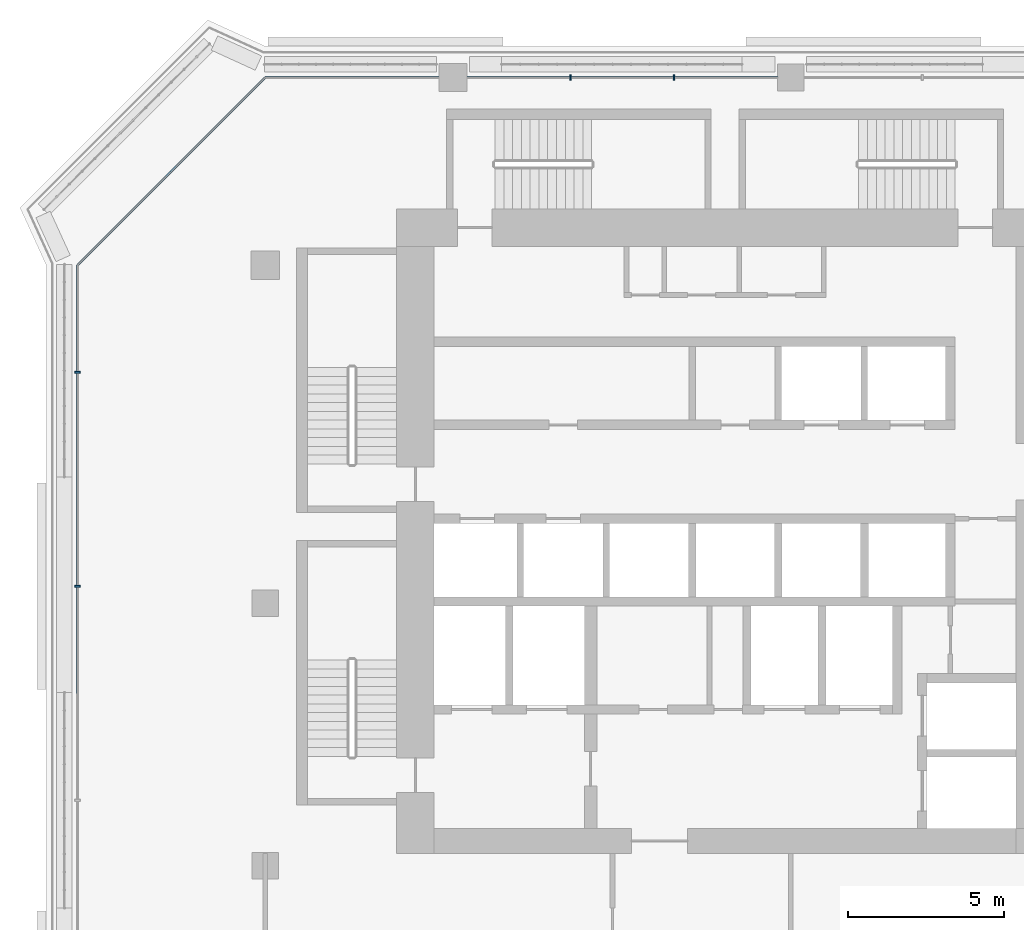
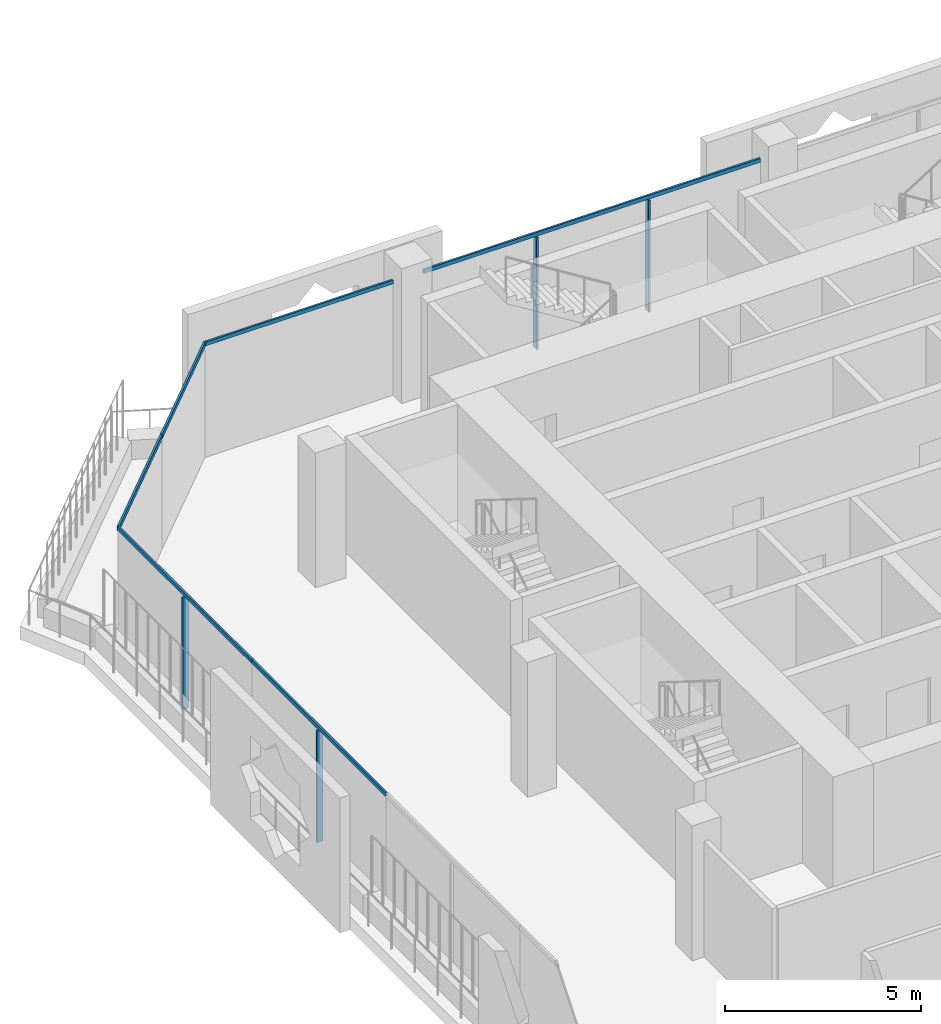
# One storey, part 6 of 23: 10 members, 3 elements without a shape of their own.
"""IFC4 building model written with IfcOpenShell, lengths in metres."""

from ifc_helpers import new_model, si_unit, direction, frame, origin, origin_2d, place, context, subcontext, project, spatial, rectangle, extrude, material, layer, layer_set, material_profile, profile_set, type_object, element, aggregate, save


model = new_model("IFC4")

# Units and contexts
model_context = context("Model", 3, precision=1e-05, world=origin(), true_north=direction((0.0, 1.0)))
body_context = subcontext(model_context, "Body", "Model", "MODEL_VIEW")
ifc_project = project(units=[si_unit("LENGTHUNIT", "METRE"), si_unit("AREAUNIT", "SQUARE_METRE"), si_unit("VOLUMEUNIT", "CUBIC_METRE"), si_unit("PLANEANGLEUNIT", "RADIAN"), si_unit("MASSUNIT", "GRAM", prefix="KILO")], contexts=[model_context])

# Site, building, storey
site_placement = place(None, origin())
site = spatial("IfcSite", under=ifc_project, at=site_placement, CompositionType="ELEMENT")
building_placement = place(site_placement, origin())
building = spatial("IfcBuilding", under=site, at=building_placement, Name="Kawkab Arch Medical Tower", CompositionType="ELEMENT")
storey_placement = place(building_placement, frame((0.0, 0.0, 222.199951171875)))
storey = spatial("IfcBuildingStorey", under=building, at=storey_placement, Name="L51", CompositionType="ELEMENT", Elevation=222.199951171875)

# Curtain wall, members
ifc_material_1 = material(Name="Bronze anodised aluminium curtain wall frame", Category="aluminium")
ifc_layer_1 = layer(ifc_material_1, 0.159912109375)
ifc_layer_set_1 = layer_set([ifc_layer_1], Name="Bronze anodised aluminium curtain wall frame")
curtain_wall_type_1 = type_object("IfcCurtainWallType", Name="CW1 ward curtain wall", PredefinedType="NOTDEFINED", material=ifc_layer_set_1)
placement = place(storey_placement, origin())
curtain_wall_1 = element("IfcCurtainWall", 1, at=placement, inside=storey, type_object=curtain_wall_type_1, Name="CW1 Ward curtain wall R09", PredefinedType="NOTDEFINED")
ifc_material_2 = material(Name="Bronze anodised aluminium curtain wall frame", Category="aluminium")
ifc_material_profile_1 = material_profile(ifc_material_2, rectangle(XDim=0.179931640625, YDim=0.06005859375, at=origin_2d()), Name="AL 60x180")
ifc_profile_set_1 = profile_set([ifc_material_profile_1], Name="Bronze anodised aluminium curtain wall frame")
member_type_1 = type_object("IfcMemberType", Name="CW1 mullion 60 x 180", PredefinedType="MULLION", material=ifc_profile_set_1)
member_1_placement = place(storey_placement, frame((13.066650390625, 0.0, 0.0), z_axis=(0.0, 0.0, 1.0), x_axis=(0.0, -1.0, 0.0)))
member_1 = element("IfcMember", 2, at=member_1_placement, type_object=member_type_1, Name="CW1 mullion 6.1", PredefinedType="MULLION", context=body_context, shape_type="SweptSolid", body=[
    extrude(rectangle(XDim=0.179931640625, YDim=0.06005859375, at=origin_2d()), origin(), (0.0, 0.0, 1.0), 3.47998046875),
])
member_2_placement = place(storey_placement, frame((9.75830078125, 0.0, 0.0), z_axis=(0.0, 0.0, 1.0), x_axis=(0.0, -1.0, 0.0)))
member_2 = element("IfcMember", 3, at=member_2_placement, type_object=member_type_1, Name="CW1 mullion 6.2", PredefinedType="MULLION", context=body_context, shape_type="SweptSolid", body=[
    extrude(rectangle(XDim=0.179931640625, YDim=0.06005859375, at=origin_2d()), origin(), (0.0, 0.0, 1.0), 3.47998046875),
])

curtain_wall_2 = element("IfcCurtainWall", 4, at=placement, inside=storey, type_object=curtain_wall_type_1, Name="CW1 Ward curtain wall R11", PredefinedType="NOTDEFINED")
member_3_placement = place(storey_placement, frame((-6.0, -9.419921875, 0.0), z_axis=(0.0, 0.0, 1.0), x_axis=(1.0, 0.0, 0.0)))
member_3 = element("IfcMember", 5, at=member_3_placement, type_object=member_type_1, Name="CW1 mullion 1.1", PredefinedType="MULLION", context=body_context, shape_type="SweptSolid", body=[
    extrude(rectangle(XDim=0.179931640625, YDim=0.06005859375, at=origin_2d()), origin(), (0.0, 0.0, 1.0), 3.47998046875),
])
member_4_placement = place(storey_placement, frame((-6.0, -16.260009765625, 0.0), z_axis=(0.0, 0.0, 1.0), x_axis=(1.0, 0.0, 0.0)))
member_4 = element("IfcMember", 6, at=member_4_placement, type_object=member_type_1, Name="CW1 mullion 2.1", PredefinedType="MULLION", context=body_context, shape_type="SweptSolid", body=[
    extrude(rectangle(XDim=0.179931640625, YDim=0.06005859375, at=origin_2d()), origin(), (0.0, 0.0, 1.0), 3.47998046875),
])

# Member
ifc_material_3 = material(Name="Bronze anodised aluminium curtain wall frame", Category="aluminium")
ifc_material_profile_2 = material_profile(ifc_material_3, rectangle(XDim=0.06005859375, YDim=0.1201171875, at=origin_2d()), Name="AL 60x120")
ifc_profile_set_2 = profile_set([ifc_material_profile_2], Name="Bronze anodised aluminium curtain wall frame")
member_type_2 = type_object("IfcMemberType", Name="CW1 transom 120 x 60", PredefinedType="USERDEFINED", material=ifc_profile_set_2)
member_5_placement = place(storey_placement, frame((16.375, 0.0, 3.5400390625), z_axis=(-1.0, 0.0, 0.0), x_axis=(0.0, -1.0, 0.0)))
member_5 = element("IfcMember", 7, at=member_5_placement, type_object=member_type_2, Name="CW1 transom 6", ObjectType="TRANSOM", PredefinedType="USERDEFINED", context=body_context, shape_type="SweptSolid", body=[
    extrude(rectangle(XDim=0.06005859375, YDim=0.1201171875, at=origin_2d()), origin(), (0.0, 0.0, 1.0), 9.925048828125),
])

member_6_placement = place(storey_placement, frame((5.550048828125, 0.0, 3.5400390625), z_axis=(-1.0, 0.0, 0.0), x_axis=(0.0, -1.0, 0.0)))
member_6 = element("IfcMember", 8, at=member_6_placement, type_object=member_type_2, Name="CW1 transom 7", ObjectType="TRANSOM", PredefinedType="USERDEFINED", context=body_context, shape_type="SweptSolid", body=[
    extrude(rectangle(XDim=0.06005859375, YDim=0.1201171875, at=origin_2d()), origin(), (0.0, 0.0, 1.0), 5.550048828125),
])

aggregate(curtain_wall_1, [member_5, member_1, member_2, member_6])

member_7_placement = place(storey_placement, frame((-6.0, -6.0, 3.5400390625), z_axis=(0.0, -1.0, 0.0), x_axis=(1.0, 0.0, 0.0)))
member_7 = element("IfcMember", 9, at=member_7_placement, type_object=member_type_2, Name="CW1 transom 1", ObjectType="TRANSOM", PredefinedType="USERDEFINED", context=body_context, shape_type="SweptSolid", body=[
    extrude(rectangle(XDim=0.06005859375, YDim=0.1201171875, at=origin_2d()), origin(), (0.0, 0.0, 1.0), 6.840087890625),
])

member_8_placement = place(storey_placement, frame((-6.0, -12.840087890625, 3.5400390625), z_axis=(0.0, -1.0, 0.0), x_axis=(1.0, 0.0, 0.0)))
member_8 = element("IfcMember", 10, at=member_8_placement, type_object=member_type_2, Name="CW1 transom 2", ObjectType="TRANSOM", PredefinedType="USERDEFINED", context=body_context, shape_type="SweptSolid", body=[
    extrude(rectangle(XDim=0.06005859375, YDim=0.1201171875, at=origin_2d()), origin(), (0.0, 0.0, 1.0), 6.83984375),
])

aggregate(curtain_wall_2, [member_7, member_3, member_8, member_4])

# Curtain wall, members
ifc_material_4 = material(Name="Bronze anodised aluminium curtain wall frame", Category="aluminium")
ifc_layer_2 = layer(ifc_material_4, 0.159912109375)
ifc_layer_set_2 = layer_set([ifc_layer_2], Name="Bronze anodised aluminium curtain wall frame")
curtain_wall_type_2 = type_object("IfcCurtainWallType", Name="CW2 chamfer curtain wall", PredefinedType="NOTDEFINED", material=ifc_layer_set_2)
curtain_wall_3 = element("IfcCurtainWall", 11, at=placement, inside=storey, type_object=curtain_wall_type_2, Name="CW2 Chamfer curtain wall R10", PredefinedType="NOTDEFINED")
ifc_material_5 = material(Name="Bronze anodised aluminium curtain wall frame", Category="aluminium")
ifc_material_profile_3 = material_profile(ifc_material_5, rectangle(XDim=0.06005859375, YDim=0.139892578125, at=origin_2d()), Name="AL 60x140")
ifc_profile_set_3 = profile_set([ifc_material_profile_3], Name="Bronze anodised aluminium curtain wall frame")
member_type_3 = type_object("IfcMemberType", Name="CW2 transom 140 x 60", PredefinedType="USERDEFINED", material=ifc_profile_set_3)
member_9_placement = place(storey_placement, frame((0.0, 0.0, 3.530029296875), z_axis=(-0.707106781187, -0.707106781187, 0.0), x_axis=(0.707106781187, -0.707106781187, 0.0)))
member_9 = element("IfcMember", 12, at=member_9_placement, type_object=member_type_3, Name="CW2 transom 1", ObjectType="TRANSOM", PredefinedType="USERDEFINED", context=body_context, shape_type="SweptSolid", body=[
    extrude(rectangle(XDim=0.06005859375, YDim=0.139892578125, at=origin_2d()), origin(), (0.0, 0.0, 1.0), 4.24267578125),
])
member_10_placement = place(storey_placement, frame((-3.0, -3.0, 3.530029296875), z_axis=(-0.707106781187, -0.707106781187, 0.0), x_axis=(0.707106781187, -0.707106781187, 0.0)))
member_10 = element("IfcMember", 13, at=member_10_placement, type_object=member_type_3, Name="CW2 transom 2", ObjectType="TRANSOM", PredefinedType="USERDEFINED", context=body_context, shape_type="SweptSolid", body=[
    extrude(rectangle(XDim=0.06005859375, YDim=0.139892578125, at=origin_2d()), origin(), (0.0, 0.0, 1.0), 4.24267578125),
])
aggregate(curtain_wall_3, [member_9, member_10])

save(model, "model.ifc")
